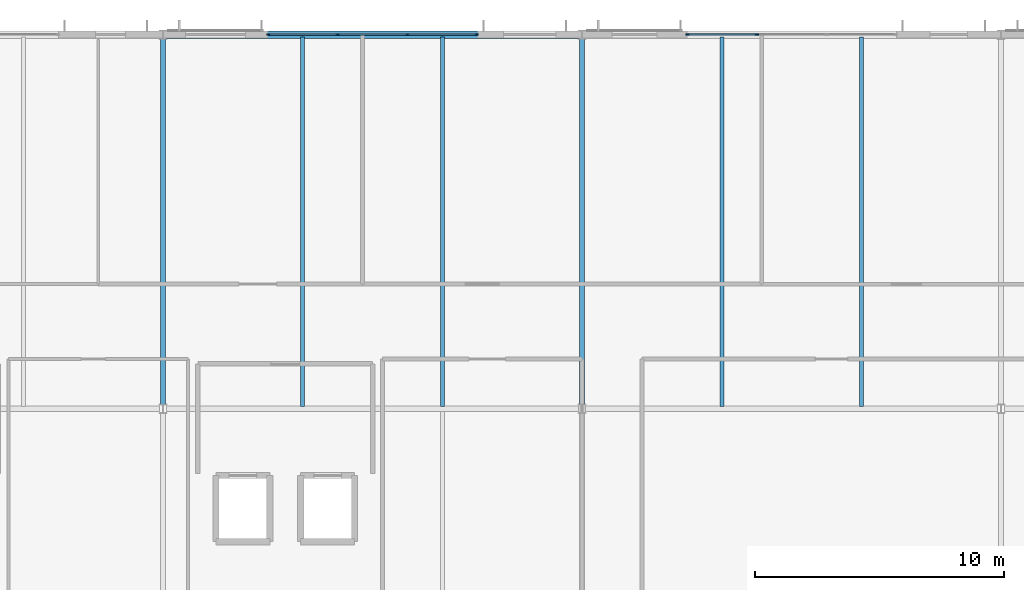
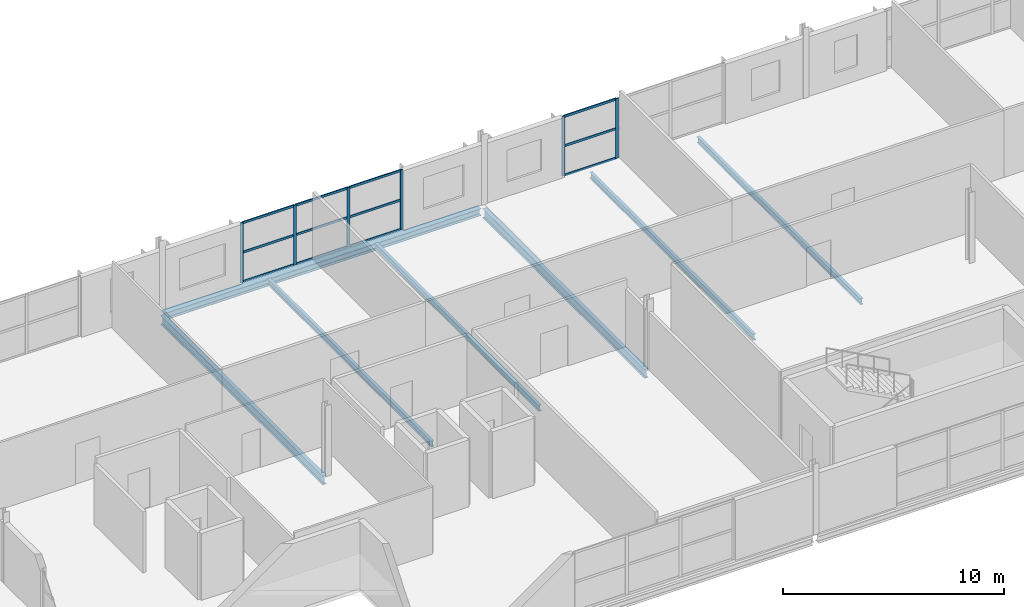
# One storey, part 9 of 18: 18 members, 7 beams, 2 elements without a shape of their own.
"""IFC4 building model written with IfcOpenShell, lengths in metres."""

from ifc_helpers import new_model, si_unit, direction, frame, origin, origin_2d, place, context, subcontext, project, spatial, rectangle, i_section, extrude, material, material_profile, profile_set, type_object, element, aggregate, save


model = new_model("IFC4")

# Units and contexts
model_context = context("Model", 3, precision=1e-05, world=origin(), true_north=direction((0.0, 1.0)))
body_context = subcontext(model_context, "Body", "Model", "MODEL_VIEW")
ifc_project = project(units=[si_unit("LENGTHUNIT", "METRE"), si_unit("AREAUNIT", "SQUARE_METRE"), si_unit("VOLUMEUNIT", "CUBIC_METRE"), si_unit("PLANEANGLEUNIT", "RADIAN"), si_unit("MASSUNIT", "GRAM", prefix="KILO")], contexts=[model_context])

# Site, building, storey
site_placement = place(None, origin())
site = spatial("IfcSite", under=ifc_project, at=site_placement, CompositionType="ELEMENT")
building_placement = place(site_placement, origin())
building = spatial("IfcBuilding", under=site, at=building_placement, Name="Kimbaza Rail Terminus", CompositionType="ELEMENT")
storey_placement = place(building_placement, frame((0.0, 0.0, 24.89990234375)))
storey = spatial("IfcBuildingStorey", under=building, at=storey_placement, Name="L05", CompositionType="ELEMENT", Elevation=24.89990234375)

# Curtain wall, members
ifc_material_1 = material(Name="Anodised aluminium framing and solar low-E glazing", Category="aluminium")
curtain_wall_type = type_object("IfcCurtainWallType", Name="ARC-CW-OP2", PredefinedType="USERDEFINED", material=ifc_material_1)
curtain_wall_1_placement = place(storey_placement, origin())
curtain_wall_1 = element("IfcCurtainWall", 1, at=curtain_wall_1_placement, inside=storey, type_object=curtain_wall_type, Name="Operations North Curtain Wall L05 Bay 2", ObjectType="STICK CURTAIN WALL", PredefinedType="USERDEFINED")
ifc_material_2 = material(Name="Anodised architectural aluminium", Category="aluminium")
ifc_material_profile_1 = material_profile(ifc_material_2, rectangle(XDim=0.05810546875, YDim=0.14990234375, at=origin_2d()), Name="MULLION 58x150")
ifc_profile_set_1 = profile_set([ifc_material_profile_1], Name="Anodised architectural aluminium")
member_type_1 = type_object("IfcMemberType", Name="ARC-CWM-06", PredefinedType="MULLION", material=ifc_profile_set_1)
member_1_placement = place(storey_placement, frame((93.029052734375, 133.0, 0.0), z_axis=(0.0, 0.0, 1.0), x_axis=(0.0, 1.0, 0.0)))
member_1 = element("IfcMember", 2, at=member_1_placement, type_object=member_type_1, Name="CW-06 mullion 1", PredefinedType="MULLION", context=body_context, shape_type="SweptSolid", body=[
    extrude(rectangle(XDim=0.05810546875, YDim=0.14990234375, at=origin_2d()), origin(), (0.0, 0.0, 1.0), 3.300048828125),
])
member_2_placement = place(storey_placement, frame((95.800048828125, 133.0, 0.0), z_axis=(0.0, 0.0, 1.0), x_axis=(0.0, 1.0, 0.0)))
member_2 = element("IfcMember", 3, at=member_2_placement, type_object=member_type_1, Name="CW-06 mullion 2", PredefinedType="MULLION", context=body_context, shape_type="SweptSolid", body=[
    extrude(rectangle(XDim=0.05810546875, YDim=0.14990234375, at=origin_2d()), origin(), (0.0, 0.0, 1.0), 3.300048828125),
])
member_3_placement = place(storey_placement, frame((98.60009765625, 133.0, 0.0), z_axis=(0.0, 0.0, 1.0), x_axis=(0.0, 1.0, 0.0)))
member_3 = element("IfcMember", 4, at=member_3_placement, type_object=member_type_1, Name="CW-06 mullion 3", PredefinedType="MULLION", context=body_context, shape_type="SweptSolid", body=[
    extrude(rectangle(XDim=0.05810546875, YDim=0.14990234375, at=origin_2d()), origin(), (0.0, 0.0, 1.0), 3.300048828125),
])
member_4_placement = place(storey_placement, frame((101.37109375, 133.0, 0.0), z_axis=(0.0, 0.0, 1.0), x_axis=(0.0, 1.0, 0.0)))
member_4 = element("IfcMember", 5, at=member_4_placement, type_object=member_type_1, Name="CW-06 mullion 4", PredefinedType="MULLION", context=body_context, shape_type="SweptSolid", body=[
    extrude(rectangle(XDim=0.05810546875, YDim=0.14990234375, at=origin_2d()), origin(), (0.0, 0.0, 1.0), 3.300048828125),
])

curtain_wall_2_placement = place(storey_placement, origin())
curtain_wall_2 = element("IfcCurtainWall", 6, at=curtain_wall_2_placement, inside=storey, type_object=curtain_wall_type, Name="Operations North Curtain Wall L05 Bay 3", ObjectType="STICK CURTAIN WALL", PredefinedType="USERDEFINED")
member_5_placement = place(storey_placement, frame((109.8291015625, 133.0, 0.0), z_axis=(0.0, 0.0, 1.0), x_axis=(0.0, 1.0, 0.0)))
member_5 = element("IfcMember", 7, at=member_5_placement, type_object=member_type_1, Name="CW-06 mullion 1", PredefinedType="MULLION", context=body_context, shape_type="SweptSolid", body=[
    extrude(rectangle(XDim=0.05810546875, YDim=0.14990234375, at=origin_2d()), origin(), (0.0, 0.0, 1.0), 3.300048828125),
])
member_6_placement = place(storey_placement, frame((112.60009765625, 133.0, 0.0), z_axis=(0.0, 0.0, 1.0), x_axis=(0.0, 1.0, 0.0)))
member_6 = element("IfcMember", 8, at=member_6_placement, type_object=member_type_1, Name="CW-06 mullion 2", PredefinedType="MULLION", context=body_context, shape_type="SweptSolid", body=[
    extrude(rectangle(XDim=0.05810546875, YDim=0.14990234375, at=origin_2d()), origin(), (0.0, 0.0, 1.0), 3.300048828125),
])

# Member
ifc_material_3 = material(Name="Anodised architectural aluminium", Category="aluminium")
ifc_material_profile_2 = material_profile(ifc_material_3, rectangle(XDim=0.05810546875, YDim=0.125, at=origin_2d()), Name="TRANSOM 58x125")
ifc_profile_set_2 = profile_set([ifc_material_profile_2], Name="Anodised architectural aluminium")
member_type_2 = type_object("IfcMemberType", Name="ARC-CWT-06", PredefinedType="USERDEFINED", material=ifc_profile_set_2)
member_7_placement = place(storey_placement, frame((93.05810546875, 133.0, 0.029052734375), z_axis=(1.0, 0.0, 0.0), x_axis=(0.0, 1.0, 0.0)))
member_7 = element("IfcMember", 9, at=member_7_placement, type_object=member_type_2, Name="CW-06 transom 1.1", ObjectType="TRANSOM", PredefinedType="USERDEFINED", context=body_context, shape_type="SweptSolid", body=[
    extrude(rectangle(XDim=0.05810546875, YDim=0.125, at=origin_2d()), origin(), (0.0, 0.0, 1.0), 2.712890625),
])

member_8_placement = place(storey_placement, frame((93.05810546875, 133.0, 1.650146484375), z_axis=(1.0, 0.0, 0.0), x_axis=(0.0, 1.0, 0.0)))
member_8 = element("IfcMember", 10, at=member_8_placement, type_object=member_type_2, Name="CW-06 transom 1.2", ObjectType="TRANSOM", PredefinedType="USERDEFINED", context=body_context, shape_type="SweptSolid", body=[
    extrude(rectangle(XDim=0.05810546875, YDim=0.125, at=origin_2d()), origin(), (0.0, 0.0, 1.0), 2.712890625),
])

member_9_placement = place(storey_placement, frame((93.05810546875, 133.0, 3.27099609375), z_axis=(1.0, 0.0, 0.0), x_axis=(0.0, 1.0, 0.0)))
member_9 = element("IfcMember", 11, at=member_9_placement, type_object=member_type_2, Name="CW-06 transom 1.3", ObjectType="TRANSOM", PredefinedType="USERDEFINED", context=body_context, shape_type="SweptSolid", body=[
    extrude(rectangle(XDim=0.05810546875, YDim=0.125, at=origin_2d()), origin(), (0.0, 0.0, 1.0), 2.712890625),
])

member_10_placement = place(storey_placement, frame((95.8291015625, 133.0, 0.029052734375), z_axis=(1.0, 0.0, 0.0), x_axis=(0.0, 1.0, 0.0)))
member_10 = element("IfcMember", 12, at=member_10_placement, type_object=member_type_2, Name="CW-06 transom 2.1", ObjectType="TRANSOM", PredefinedType="USERDEFINED", context=body_context, shape_type="SweptSolid", body=[
    extrude(rectangle(XDim=0.05810546875, YDim=0.125, at=origin_2d()), origin(), (0.0, 0.0, 1.0), 2.741943359375),
])

member_11_placement = place(storey_placement, frame((95.8291015625, 133.0, 1.650146484375), z_axis=(1.0, 0.0, 0.0), x_axis=(0.0, 1.0, 0.0)))
member_11 = element("IfcMember", 13, at=member_11_placement, type_object=member_type_2, Name="CW-06 transom 2.2", ObjectType="TRANSOM", PredefinedType="USERDEFINED", context=body_context, shape_type="SweptSolid", body=[
    extrude(rectangle(XDim=0.05810546875, YDim=0.125, at=origin_2d()), origin(), (0.0, 0.0, 1.0), 2.741943359375),
])

member_12_placement = place(storey_placement, frame((95.8291015625, 133.0, 3.27099609375), z_axis=(1.0, 0.0, 0.0), x_axis=(0.0, 1.0, 0.0)))
member_12 = element("IfcMember", 14, at=member_12_placement, type_object=member_type_2, Name="CW-06 transom 2.3", ObjectType="TRANSOM", PredefinedType="USERDEFINED", context=body_context, shape_type="SweptSolid", body=[
    extrude(rectangle(XDim=0.05810546875, YDim=0.125, at=origin_2d()), origin(), (0.0, 0.0, 1.0), 2.741943359375),
])

member_13_placement = place(storey_placement, frame((98.62890625, 133.0, 0.029052734375), z_axis=(1.0, 0.0, 0.0), x_axis=(0.0, 1.0, 0.0)))
member_13 = element("IfcMember", 15, at=member_13_placement, type_object=member_type_2, Name="CW-06 transom 3.1", ObjectType="TRANSOM", PredefinedType="USERDEFINED", context=body_context, shape_type="SweptSolid", body=[
    extrude(rectangle(XDim=0.05810546875, YDim=0.125, at=origin_2d()), origin(), (0.0, 0.0, 1.0), 2.713134765625),
])

member_14_placement = place(storey_placement, frame((98.62890625, 133.0, 1.650146484375), z_axis=(1.0, 0.0, 0.0), x_axis=(0.0, 1.0, 0.0)))
member_14 = element("IfcMember", 16, at=member_14_placement, type_object=member_type_2, Name="CW-06 transom 3.2", ObjectType="TRANSOM", PredefinedType="USERDEFINED", context=body_context, shape_type="SweptSolid", body=[
    extrude(rectangle(XDim=0.05810546875, YDim=0.125, at=origin_2d()), origin(), (0.0, 0.0, 1.0), 2.713134765625),
])

member_15_placement = place(storey_placement, frame((98.62890625, 133.0, 3.27099609375), z_axis=(1.0, 0.0, 0.0), x_axis=(0.0, 1.0, 0.0)))
member_15 = element("IfcMember", 17, at=member_15_placement, type_object=member_type_2, Name="CW-06 transom 3.3", ObjectType="TRANSOM", PredefinedType="USERDEFINED", context=body_context, shape_type="SweptSolid", body=[
    extrude(rectangle(XDim=0.05810546875, YDim=0.125, at=origin_2d()), origin(), (0.0, 0.0, 1.0), 2.713134765625),
])

aggregate(curtain_wall_1, [member_1, member_2, member_3, member_4, member_7, member_8, member_9, member_10, member_11, member_12, member_13, member_14, member_15])

member_16_placement = place(storey_placement, frame((109.85791015625, 133.0, 0.029052734375), z_axis=(1.0, 0.0, 0.0), x_axis=(0.0, 1.0, 0.0)))
member_16 = element("IfcMember", 18, at=member_16_placement, type_object=member_type_2, Name="CW-06 transom 1.1", ObjectType="TRANSOM", PredefinedType="USERDEFINED", context=body_context, shape_type="SweptSolid", body=[
    extrude(rectangle(XDim=0.05810546875, YDim=0.125, at=origin_2d()), origin(), (0.0, 0.0, 1.0), 2.713134765625),
])

member_17_placement = place(storey_placement, frame((109.85791015625, 133.0, 1.650146484375), z_axis=(1.0, 0.0, 0.0), x_axis=(0.0, 1.0, 0.0)))
member_17 = element("IfcMember", 19, at=member_17_placement, type_object=member_type_2, Name="CW-06 transom 1.2", ObjectType="TRANSOM", PredefinedType="USERDEFINED", context=body_context, shape_type="SweptSolid", body=[
    extrude(rectangle(XDim=0.05810546875, YDim=0.125, at=origin_2d()), origin(), (0.0, 0.0, 1.0), 2.713134765625),
])

member_18_placement = place(storey_placement, frame((109.85791015625, 133.0, 3.27099609375), z_axis=(1.0, 0.0, 0.0), x_axis=(0.0, 1.0, 0.0)))
member_18 = element("IfcMember", 20, at=member_18_placement, type_object=member_type_2, Name="CW-06 transom 1.3", ObjectType="TRANSOM", PredefinedType="USERDEFINED", context=body_context, shape_type="SweptSolid", body=[
    extrude(rectangle(XDim=0.05810546875, YDim=0.125, at=origin_2d()), origin(), (0.0, 0.0, 1.0), 2.713134765625),
])

aggregate(curtain_wall_2, [member_5, member_6, member_16, member_17, member_18])

# Beams
ifc_material_4 = material(Name="Steel S355", Category="steel")
ifc_material_profile_3 = material_profile(ifc_material_4, i_section(OverallWidth=0.300048828125, OverallDepth=0.389892578125, WebThickness=0.010986328125, FlangeThickness=0.01904296875, FilletRadius=0.027099609375, at=origin_2d()), Name="HEA 400")
ifc_profile_set_3 = profile_set([ifc_material_profile_3], Name="Steel S355")
beam_type_1 = type_object("IfcBeamType", Name="STR-BM-HEA400", PredefinedType="SPANDREL", material=ifc_profile_set_3)
beam_placement = place(storey_placement, frame((88.946044921875, 133.0, -0.385009765625), z_axis=(1.0, 0.0, 0.0), x_axis=(0.0, 1.0, 0.0)))
element("IfcBeam", 21, at=beam_placement, inside=storey, type_object=beam_type_1, Name="Operations Girder L05 X1-Y2", PredefinedType="SPANDREL", context=body_context, shape_type="SweptSolid", body=[
    extrude(i_section(OverallWidth=0.300048828125, OverallDepth=0.389892578125, WebThickness=0.010986328125, FlangeThickness=0.01904296875, FilletRadius=0.027099609375, at=origin_2d()), origin(), (0.0, 0.0, 1.0), 16.508056640625),
])
ifc_material_5 = material(Name="Steel S355", Category="steel")
ifc_material_profile_4 = material_profile(ifc_material_5, i_section(OverallWidth=0.159912109375, OverallDepth=0.330078125, WebThickness=0.007568359375, FlangeThickness=0.011474609375, FilletRadius=0.01806640625, at=origin_2d()), Name="IPE 330")
ifc_profile_set_4 = profile_set([ifc_material_profile_4], Name="Steel S355")
beam_type_2 = type_object("IfcBeamType", Name="STR-BM-IPE330", PredefinedType="JOIST", material=ifc_profile_set_4)
for number, where, z_axis, x_axis, name in (
    (22, (94.39990234375, 118.10009765625, -0.35498046875), (0.0, 1.0, 0.0), (-1.0, 0.0, 0.0), "Operations Secondary Joist L05"),
    (23, (100.0, 118.10009765625, -0.35498046875), (0.0, 1.0, 0.0), (-1.0, 0.0, 0.0), "Operations Secondary Joist L05"),
    (24, (111.199951171875, 118.10009765625, -0.35498046875), (0.0, 1.0, 0.0), (-1.0, 0.0, 0.0), "Operations Secondary Joist L05"),
    (25, (116.800048828125, 118.10009765625, -0.35498046875), (0.0, 1.0, 0.0), (-1.0, 0.0, 0.0), "Operations Secondary Joist L05"),
):
    element("IfcBeam", number, at=place(storey_placement, frame(where, z_axis=z_axis, x_axis=x_axis)), inside=storey, type_object=beam_type_2, Name=name, PredefinedType="JOIST", context=body_context, shape_type="SweptSolid", body=[
        extrude(i_section(OverallWidth=0.159912109375, OverallDepth=0.330078125, WebThickness=0.007568359375, FlangeThickness=0.011474609375, FilletRadius=0.01806640625, at=origin_2d()), origin(), (0.0, 0.0, 1.0), 14.7998046875),
    ])
ifc_material_6 = material(Name="Steel S355", Category="steel")
ifc_material_profile_5 = material_profile(ifc_material_6, i_section(OverallWidth=0.199951171875, OverallDepth=0.5, WebThickness=0.01025390625, FlangeThickness=0.01611328125, FilletRadius=0.02099609375, at=origin_2d()), Name="IPE 500")
ifc_profile_set_5 = profile_set([ifc_material_profile_5], Name="Steel S355")
beam_type_3 = type_object("IfcBeamType", Name="STR-BM-IPE500", PredefinedType="BEAM", material=ifc_profile_set_5)
for number, where, z_axis, x_axis, name in (
    (26, (88.800048828125, 118.175048828125, -0.43994140625), (0.0, 1.0, 0.0), (-1.0, 0.0, 0.0), "Operations Cross Girder L05 X1-Y1"),
    (27, (105.60009765625, 118.175048828125, -0.43994140625), (0.0, 1.0, 0.0), (-1.0, 0.0, 0.0), "Operations Cross Girder L05 X2-Y1"),
):
    element("IfcBeam", number, at=place(storey_placement, frame(where, z_axis=z_axis, x_axis=x_axis)), inside=storey, type_object=beam_type_3, Name=name, PredefinedType="BEAM", context=body_context, shape_type="SweptSolid", body=[
        extrude(i_section(OverallWidth=0.199951171875, OverallDepth=0.5, WebThickness=0.01025390625, FlangeThickness=0.01611328125, FilletRadius=0.02099609375, at=origin_2d()), origin(), (0.0, 0.0, 1.0), 14.64990234375),
    ])

save(model, "model.ifc")
